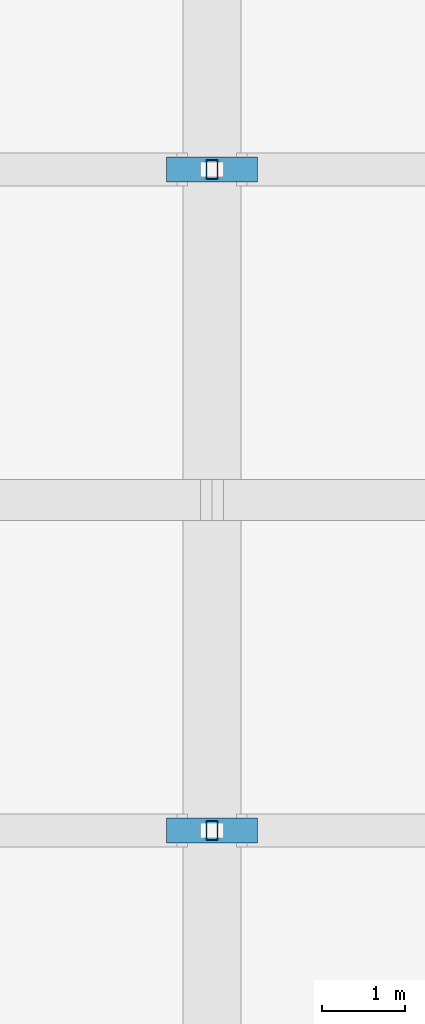
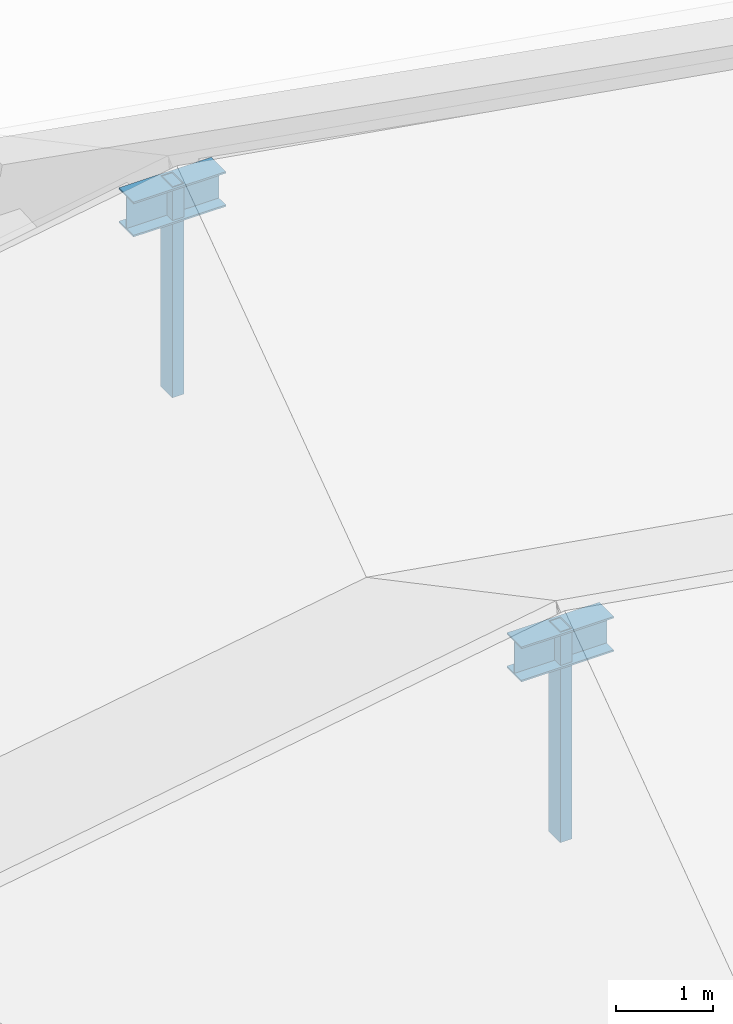
# One storey, part 21 of 109: 4 members.
"""IFC4 building model written with IfcOpenShell, lengths in metres."""

from ifc_helpers import new_model, si_unit, direction, frame, origin, origin_2d, place, context, subcontext, project, spatial, hollow_rectangle, i_section, extrude, material, material_profile, profile_set, type_object, element, save


model = new_model("IFC4")

# Units and contexts
model_context = context("Model", 3, precision=1e-05, world=origin(), true_north=direction((0.0, 1.0)))
body_context = subcontext(model_context, "Body", "Model", "MODEL_VIEW")
ifc_project = project(units=[si_unit("LENGTHUNIT", "METRE"), si_unit("AREAUNIT", "SQUARE_METRE"), si_unit("VOLUMEUNIT", "CUBIC_METRE"), si_unit("PLANEANGLEUNIT", "RADIAN"), si_unit("MASSUNIT", "GRAM", prefix="KILO")], contexts=[model_context])

# Site, building, storey
site_placement = place(None, origin())
site = spatial("IfcSite", under=ifc_project, at=site_placement, CompositionType="ELEMENT")
building_placement = place(site_placement, origin())
building = spatial("IfcBuilding", under=site, at=building_placement, Name="Zavelmont Quarter", CompositionType="ELEMENT")
storey_placement = place(building_placement, frame((0.0, 0.0, 8.0)))
storey = spatial("IfcBuildingStorey", under=building, at=storey_placement, Name="L02", CompositionType="ELEMENT", Elevation=8.0)

# Members
ifc_material = material(Name="Steel S355", Category="steel")
ifc_material_profile_1 = material_profile(ifc_material, hollow_rectangle(XDim=0.139892578125, YDim=0.239990234375, WallThickness=0.010009765625, at=origin_2d()), Name="RHS 240X140X10")
ifc_profile_set_1 = profile_set([ifc_material_profile_1], Name="Steel S355")
member_type_1 = type_object("IfcMemberType", Name="CLM1", PredefinedType="CHORD", material=ifc_profile_set_1)
for number, where, z_axis, x_axis, name in (
    (1, (84.0, 34.0, 5.030029296875), (0.0, 0.0, 1.0), (1.0, 0.0, 0.0), "L02 member CLM1 13/F to 13/F"),
    (2, (84.0, 42.0, 5.780029296875), (0.0, 0.0, 1.0), (1.0, 0.0, 0.0), "L02 member CLM1 13/G to 13/G"),
):
    element("IfcMember", number, at=place(storey_placement, frame(where, z_axis=z_axis, x_axis=x_axis)), inside=storey, type_object=member_type_1, Name=name, PredefinedType="CHORD", context=body_context, shape_type="SweptSolid", body=[
        extrude(hollow_rectangle(XDim=0.139892578125, YDim=0.239990234375, WallThickness=0.010009765625, at=origin_2d()), origin(), (0.0, 0.0, 1.0), 2.64990234375),
    ])
ifc_material_profile_2 = material_profile(ifc_material, i_section(OverallWidth=0.300048828125, OverallDepth=0.43994140625, WebThickness=0.011474609375, FlangeThickness=0.02099609375, at=origin_2d()), Name="HEA 450")
ifc_profile_set_2 = profile_set([ifc_material_profile_2], Name="Steel S355")
member_type_2 = type_object("IfcMemberType", Name="RFM1", PredefinedType="RAFTER", material=ifc_profile_set_2)
for number, where, z_axis, x_axis, name in (
    (3, (83.449951171875, 34.0, 7.4599609375), (1.0, 0.0, 0.0), (0.0, 1.0, 0.0), "L02 member RFM1 13/F to 13/F"),
    (4, (83.449951171875, 42.0, 8.2099609375), (1.0, 0.0, 0.0), (0.0, 1.0, 0.0), "L02 member RFM1 13/G to 13/G"),
):
    element("IfcMember", number, at=place(storey_placement, frame(where, z_axis=z_axis, x_axis=x_axis)), inside=storey, type_object=member_type_2, Name=name, PredefinedType="RAFTER", context=body_context, shape_type="SweptSolid", body=[
        extrude(i_section(OverallWidth=0.300048828125, OverallDepth=0.43994140625, WebThickness=0.011474609375, FlangeThickness=0.02099609375, at=origin_2d()), origin(), (0.0, 0.0, 1.0), 1.10009765625),
    ])

save(model, "model.ifc")
